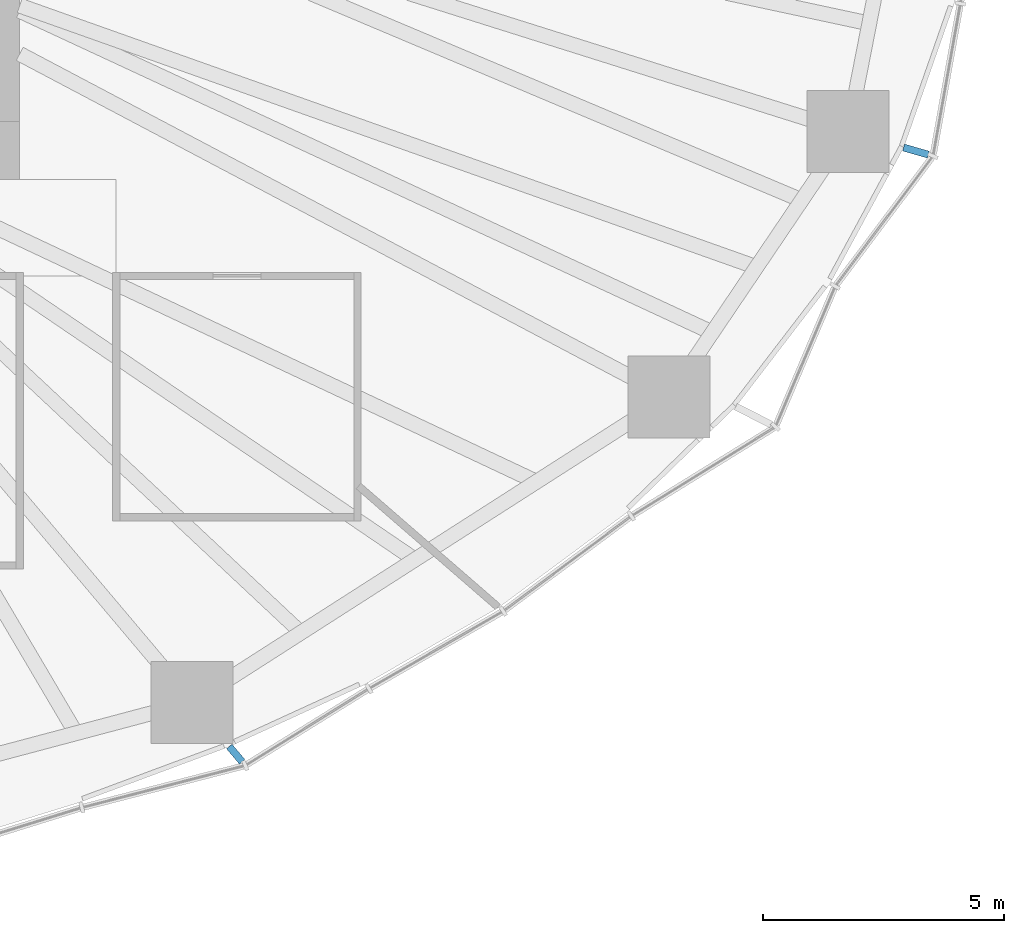
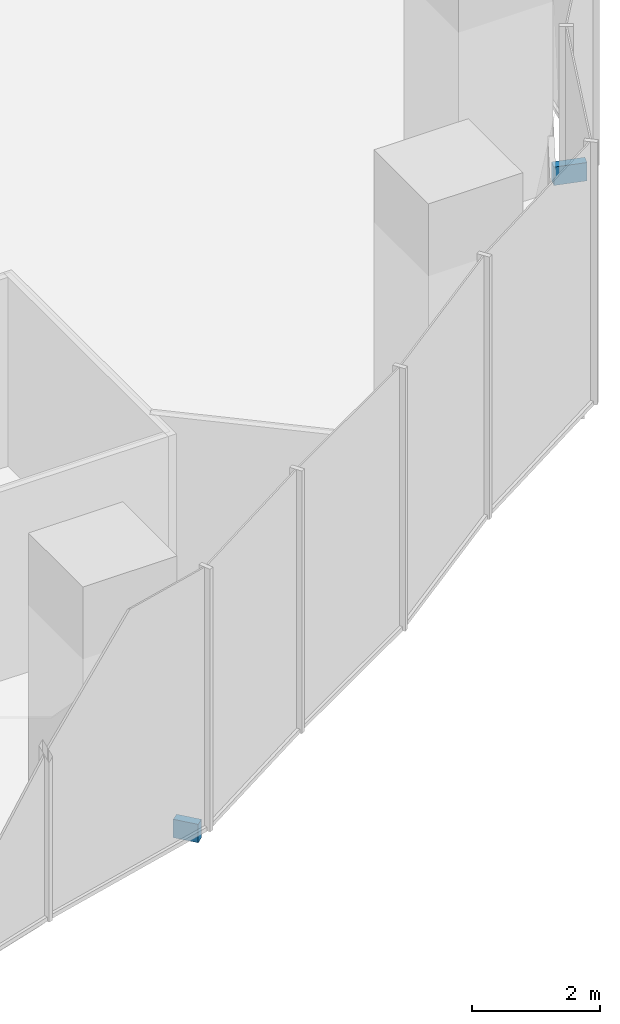
# One storey, part 14 of 19: 2 discrete accessories.
"""IFC4 building model written with IfcOpenShell, lengths in metres."""

import ifcopenshell
import ifcopenshell.guid

model = None  # the IFC model being written
_history = None  # IfcOwnerHistory: only IFC2X3 demands one
_inside = {}  # id of a spatial element -> (the spatial element, [elements in it])
_under = {}  # id of a project, library or spatial element -> (it, [spatial elements below it])
_declared = {}  # id of a project -> (the project, [libraries it declares])
_typed = {}  # id of a type object -> (the type object, [elements of that type])
_made_of = {}  # id of a material, layer set ... -> (it, [elements and type objects made of it])


def new_model(schema):
    """Start an empty IFC model of exactly this schema.

    Asked for "IFC4X3", IfcOpenShell would pick the latest addendum, in which some entities
    have other attributes; the version numbers below select the first issue.
    IFC2X3 requires an IfcOwnerHistory on every rooted entity: one is made here for all.
    """
    global model, _history
    if schema == "IFC4X3":
        model = ifcopenshell.file(schema_version=(4, 3, 0, 0))
    else:
        model = ifcopenshell.file(schema=schema)
    _inside.clear()
    _under.clear()
    _declared.clear()
    _typed.clear()
    _made_of.clear()
    _history = None
    if model.schema == "IFC2X3":
        org = make("IfcOrganization", Name="unknown")
        user = make(
            "IfcPersonAndOrganization",
            ThePerson=make("IfcPerson", FamilyName="unknown"),
            TheOrganization=org,
        )
        app = make(
            "IfcApplication",
            ApplicationDeveloper=org,
            Version="unknown",
            ApplicationFullName="unknown",
            ApplicationIdentifier="unknown",
        )
        _history = make(
            "IfcOwnerHistory",
            OwningUser=user,
            OwningApplication=app,
            ChangeAction="ADDED",
            CreationDate=0,
        )
    return model


def make(cls, **values):
    """One entity of the class cls with the attributes given. An attribute that is None is left unset."""
    return model.create_entity(
        cls, **{name: value for name, value in values.items() if value is not None}
    )


def rooted(cls, **values):
    """An entity with a GlobalId (a new one), such as an element, a storey or a relation."""
    return make(cls, GlobalId=ifcopenshell.guid.new(), OwnerHistory=_history, **values)


def si_unit(unit_type, name, prefix=None):
    """IfcSIUnit, for example si_unit("LENGTHUNIT", "METRE", prefix="MILLI")."""
    return make("IfcSIUnit", UnitType=unit_type, Prefix=prefix, Name=name)


def assignment(units):
    """IfcUnitAssignment: the units of a project."""
    return None if units is None else make("IfcUnitAssignment", Units=units)


def point(xyz):
    """IfcCartesianPoint."""
    return None if xyz is None else make("IfcCartesianPoint", Coordinates=xyz)


def direction(xyz):
    """IfcDirection."""
    return None if xyz is None else make("IfcDirection", DirectionRatios=xyz)


def frame(location, z_axis=None, x_axis=None):
    """IfcAxis2Placement3D, a coordinate frame: its origin and axes. An axis left out is left unset."""
    return make(
        "IfcAxis2Placement3D",
        Location=point(location),
        Axis=direction(z_axis),
        RefDirection=direction(x_axis),
    )


def frame_2d(location, x_axis=None):
    """IfcAxis2Placement2D, a coordinate frame in the plane: its origin and x axis."""
    return make(
        "IfcAxis2Placement2D", Location=point(location), RefDirection=direction(x_axis)
    )


def origin():
    """The frame at (0, 0, 0) with its axes left unset."""
    return frame((0.0, 0.0, 0.0))


def origin_2d():
    """The frame at (0, 0) in the plane with its x axis left unset."""
    return frame_2d((0.0, 0.0))


def place(relative_to, where):
    """IfcLocalPlacement: puts the frame where relative to a parent placement (None: the world)."""
    return make(
        "IfcLocalPlacement", PlacementRelTo=relative_to, RelativePlacement=where
    )


def context(
    kind, dimensions, precision=None, world=None, true_north=None, identifier=None
):
    """IfcGeometricRepresentationContext, for example the 3D "Model" context."""
    return make(
        "IfcGeometricRepresentationContext",
        ContextIdentifier=identifier,
        ContextType=kind,
        CoordinateSpaceDimension=dimensions,
        Precision=precision,
        WorldCoordinateSystem=world,
        TrueNorth=true_north,
    )


def subcontext(parent, identifier, kind, view, scale=None):
    """IfcGeometricRepresentationSubContext, for example "Body" below "Model"."""
    return make(
        "IfcGeometricRepresentationSubContext",
        ContextIdentifier=identifier,
        ContextType=kind,
        ParentContext=parent,
        TargetScale=scale,
        TargetView=view,
    )


def project(units=None, contexts=None):
    """IfcProject with its units and contexts."""
    return rooted(
        "IfcProject",
        Name="project",
        RepresentationContexts=contexts,
        UnitsInContext=assignment(units),
    )


def spatial(cls, under=None, at=None, **own):
    """A site, building, storey or space (cls), placed at a placement, below another one or the project."""
    s = rooted(cls, ObjectPlacement=at, **own)
    if under is not None:
        _under.setdefault(under.id(), (under, []))[1].append(s)
    return s


def profile(cls, at=None, kind="AREA", **sizes):
    """A parametric profile (cls). Its sizes go by their IFC names, for example OverallWidth=200.0."""
    return make(cls, ProfileType=kind, Position=at, **sizes)


def rectangle(**sizes):
    """IfcRectangleProfileDef."""
    return profile("IfcRectangleProfileDef", **sizes)


def extrude(swept, where, along, depth):
    """IfcExtrudedAreaSolid: the profile swept, set in the frame where, extruded along a direction by depth."""
    return make(
        "IfcExtrudedAreaSolid",
        SweptArea=swept,
        Position=where,
        ExtrudedDirection=direction(along),
        Depth=depth,
    )


def shape(context_of_items, identifier, shape_type, items):
    """IfcShapeRepresentation: the items that make up one representation, for example the "Body"."""
    return make(
        "IfcShapeRepresentation",
        ContextOfItems=context_of_items,
        RepresentationIdentifier=identifier,
        RepresentationType=shape_type,
        Items=items,
    )


def material(Name=None, Category=None):
    """IfcMaterial."""
    return make("IfcMaterial", Name=Name, Category=Category)


def made_of(thing, what):
    """Note that an element or type object is made of a material, layer set ...; save() writes the relation."""
    if what is not None:
        _made_of.setdefault(what.id(), (what, []))[1].append(thing)
    return thing


def type_object(cls, material=None, **own):
    """A type object (cls), such as IfcWallType, which elements share."""
    return made_of(rooted(cls, **own), material)


def element(
    cls,
    number,
    at=None,
    inside=None,
    cuts=None,
    type_object=None,
    material=None,
    context=None,
    identifier="Body",
    shape_type=None,
    held_by="IfcProductDefinitionShape",
    body=None,
    shapes=None,
    **own,
):
    """One element of the class cls, such as IfcWall. Its Tag is "e" and its number.

    at: its placement. inside: the storey or other place that contains it. cuts: it is an
    opening in that element (IfcRelVoidsElement). A single representation is given by context,
    identifier, shape_type and body (its items); several are given by shapes. held_by: the class
    of the entity that holds the representations. save() writes the other relations.
    """
    e = rooted(cls, Tag="e%d" % number, ObjectPlacement=at, **own)
    if body is not None:
        shapes = [shape(context, identifier, shape_type, body)]
    if shapes is not None:
        e.Representation = make(held_by, Representations=shapes)
    if inside is not None:
        _inside.setdefault(inside.id(), (inside, []))[1].append(e)
    if cuts is not None:
        rooted(
            "IfcRelVoidsElement", RelatingBuildingElement=cuts, RelatedOpeningElement=e
        )
    if type_object is not None:
        _typed.setdefault(type_object.id(), (type_object, []))[1].append(e)
    return made_of(e, material)


def aggregate(whole, parts):
    """IfcRelAggregates: a whole, such as a stair, and the parts it consists of."""
    return rooted("IfcRelAggregates", RelatingObject=whole, RelatedObjects=parts)


def save(model, path):
    """Write the relations noted so far, then the file.

    IfcRelAggregates (storeys below a building ...), IfcRelContainedInSpatialStructure (elements
    in a storey), IfcRelDefinesByType, IfcRelAssociatesMaterial and IfcRelDeclares: one each for
    every whole, place, type object, material and project.
    """
    for whole, parts in _under.values():
        aggregate(whole, parts)
    for where, things in _inside.values():
        rooted(
            "IfcRelContainedInSpatialStructure",
            RelatedElements=things,
            RelatingStructure=where,
        )
    for kind, things in _typed.values():
        rooted("IfcRelDefinesByType", RelatedObjects=things, RelatingType=kind)
    for what, things in _made_of.values():
        rooted("IfcRelAssociatesMaterial", RelatedObjects=things, RelatingMaterial=what)
    for by, libraries in _declared.values():
        rooted("IfcRelDeclares", RelatingContext=by, RelatedDefinitions=libraries)
    model.write(path)


model = new_model("IFC4")

# Units and contexts
model_context = context("Model", 3, precision=1e-05, world=origin(), true_north=direction((0.0, 1.0)))
body_context = subcontext(model_context, "Body", "Model", "MODEL_VIEW")
ifc_project = project(units=[si_unit("LENGTHUNIT", "METRE"), si_unit("AREAUNIT", "SQUARE_METRE"), si_unit("VOLUMEUNIT", "CUBIC_METRE"), si_unit("PLANEANGLEUNIT", "RADIAN"), si_unit("MASSUNIT", "GRAM", prefix="KILO")], contexts=[model_context])

# Site, building, storey
site_placement = place(None, origin())
site = spatial("IfcSite", under=ifc_project, at=site_placement, CompositionType="ELEMENT")
building_placement = place(site_placement, origin())
building = spatial("IfcBuilding", under=site, at=building_placement, Name="Ghaith Harvest Tower", CompositionType="ELEMENT")
storey_placement = place(building_placement, frame((0.0, 0.0, 75.0)))
storey = spatial("IfcBuildingStorey", under=building, at=storey_placement, Name="L15", CompositionType="ELEMENT", Elevation=75.0)

# Discrete accessories
ifc_material_1 = material(Name="Stainless steel grade 1.4401", Category="steel")
discrete_accessory_type_1 = type_object("IfcDiscreteAccessoryType", Name="CURTAIN WALL BRACKET 415", PredefinedType="BRACKET", material=ifc_material_1)
discrete_accessory_1_placement = place(storey_placement, frame((18.475830078125, -21.90966796875, -0.25), z_axis=(0.0, 0.0, 1.0), x_axis=(0.644657240069, -0.764471741025, 0.0)))
element("IfcDiscreteAccessory", 1, at=discrete_accessory_1_placement, inside=storey, type_object=discrete_accessory_type_1, Name="CW-F bracket 1 bay 18 L15", PredefinedType="BRACKET", context=body_context, shape_type="SweptSolid", body=[
    extrude(rectangle(XDim=0.4150390625, YDim=0.14990234375, at=origin_2d()), origin(), (0.0, 0.0, 1.0), 0.35009765625),
])
ifc_material_2 = material(Name="Stainless steel grade 1.4401", Category="steel")
discrete_accessory_type_2 = type_object("IfcDiscreteAccessoryType", Name="CURTAIN WALL BRACKET 535", PredefinedType="BRACKET", material=ifc_material_2)
discrete_accessory_2_placement = place(storey_placement, frame((32.570556640625, -9.41357421875, -0.25), z_axis=(0.0, 0.0, 1.0), x_axis=(0.960680349932, -0.277656739976, 0.0)))
element("IfcDiscreteAccessory", 2, at=discrete_accessory_2_placement, inside=storey, type_object=discrete_accessory_type_2, Name="CW-F bracket 1 bay 20 L15", PredefinedType="BRACKET", context=body_context, shape_type="SweptSolid", body=[
    extrude(rectangle(XDim=0.534912109375, YDim=0.14990234375, at=origin_2d()), origin(), (0.0, 0.0, 1.0), 0.35009765625),
])

save(model, "model.ifc")
